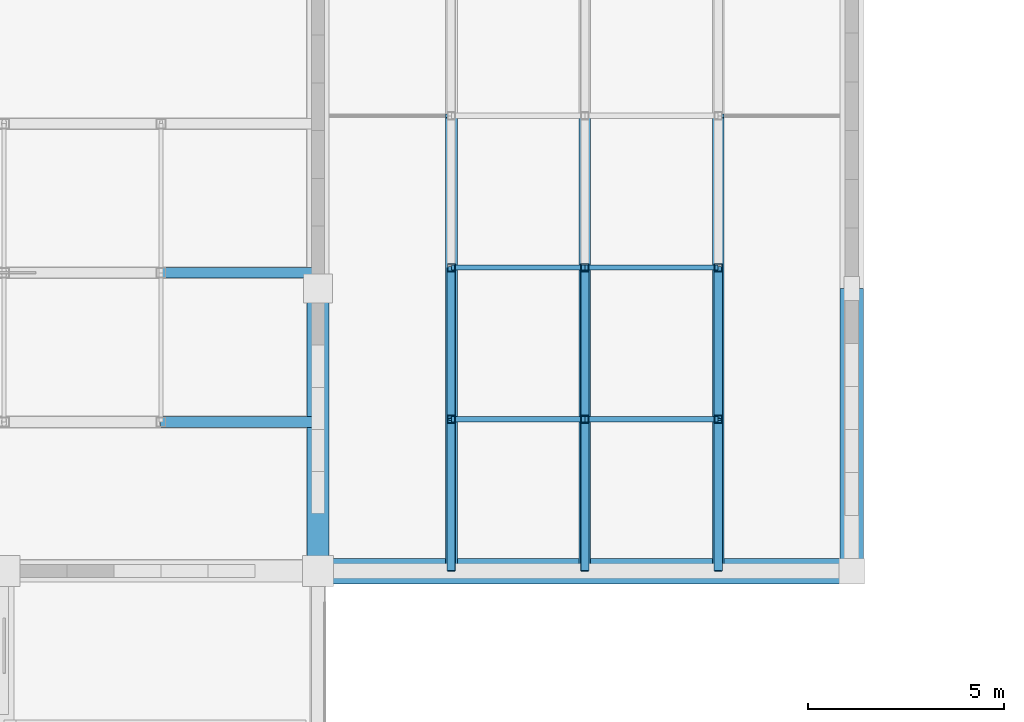
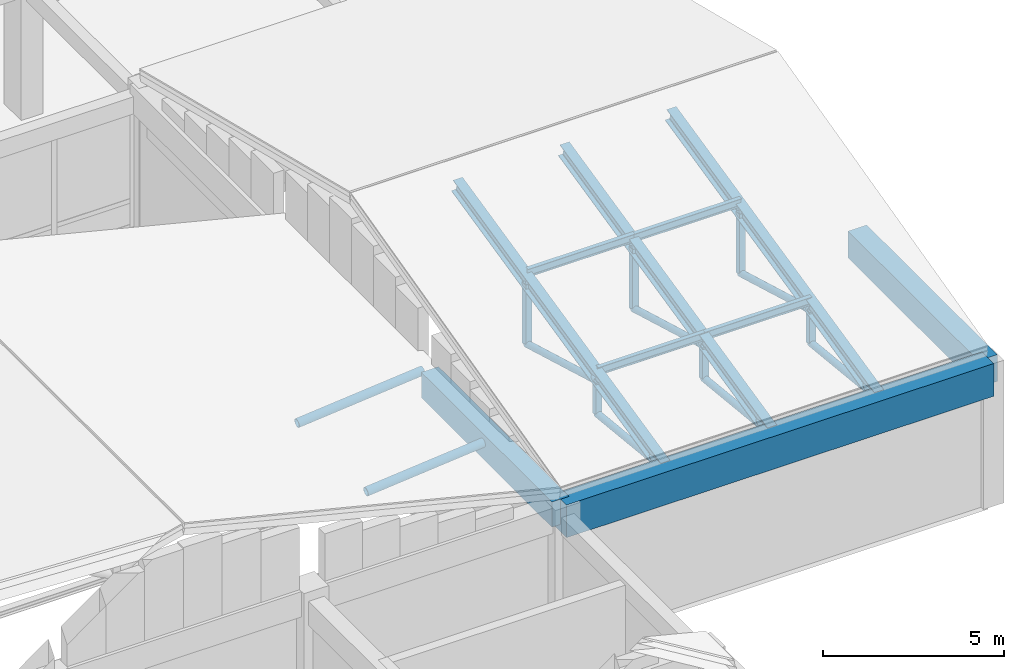
# One storey, part 28 of 61: 21 members, 3 beams.
"""IFC4 building model written with IfcOpenShell, lengths in metres."""

from ifc_helpers import new_model, si_unit, direction, frame, origin, origin_2d, place, context, subcontext, project, spatial, rectangle, hollow_rectangle, hollow_circle, i_section, extrude, material, material_profile, profile_set, type_object, element, save


model = new_model("IFC4")

# Units and contexts
model_context = context("Model", 3, precision=1e-05, world=origin(), true_north=direction((0.0, 1.0)))
body_context = subcontext(model_context, "Body", "Model", "MODEL_VIEW")
ifc_project = project(units=[si_unit("LENGTHUNIT", "METRE"), si_unit("AREAUNIT", "SQUARE_METRE"), si_unit("VOLUMEUNIT", "CUBIC_METRE"), si_unit("PLANEANGLEUNIT", "RADIAN"), si_unit("MASSUNIT", "GRAM", prefix="KILO")], contexts=[model_context])

# Site, building, storey
site_placement = place(None, origin())
site = spatial("IfcSite", under=ifc_project, at=site_placement, CompositionType="ELEMENT")
building_placement = place(site_placement, origin())
building = spatial("IfcBuilding", under=site, at=building_placement, Name="Vellmiral Cinema and Media Centre", CompositionType="ELEMENT")
storey_placement = place(building_placement, frame((0.0, 0.0, 10.800048828125)))
storey = spatial("IfcBuildingStorey", under=building, at=storey_placement, Name="L02", CompositionType="ELEMENT", Elevation=10.800048828125)

# Members
ifc_material_1 = material(Name="Steel S355", Category="steel")
ifc_material_profile_1 = material_profile(ifc_material_1, i_section(OverallWidth=0.135009765625, OverallDepth=0.27001953125, WebThickness=0.006591796875, FlangeThickness=0.01025390625, FilletRadius=0.014892578125, at=origin_2d()), Name="IPE 270")
ifc_profile_set_1 = profile_set([ifc_material_profile_1], Name="Steel S355")
member_type_1 = type_object("IfcMemberType", Name="PRL-IPE270", PredefinedType="PURLIN", material=ifc_profile_set_1)
member_1_placement = place(storey_placement, frame((151.39990234375, 39.86669921875, 5.593994140625), z_axis=(1.0, 0.0, 0.0), x_axis=(0.0, 1.0, 0.0)))
element("IfcMember", 1, at=member_1_placement, inside=storey, type_object=member_type_1, Name="Roof Purlin 7.1.1", PredefinedType="PURLIN", context=body_context, shape_type="SweptSolid", body=[
    extrude(i_section(OverallWidth=0.135009765625, OverallDepth=0.27001953125, WebThickness=0.006591796875, FlangeThickness=0.01025390625, FilletRadius=0.014892578125, at=origin_2d()), origin(), (0.0, 0.0, 1.0), 3.400146484375),
])
member_2_placement = place(storey_placement, frame((154.800048828125, 39.86669921875, 5.593994140625), z_axis=(1.0, 0.0, 0.0), x_axis=(0.0, 1.0, 0.0)))
element("IfcMember", 2, at=member_2_placement, inside=storey, type_object=member_type_1, Name="Roof Purlin 7.1.2", PredefinedType="PURLIN", context=body_context, shape_type="SweptSolid", body=[
    extrude(i_section(OverallWidth=0.135009765625, OverallDepth=0.27001953125, WebThickness=0.006591796875, FlangeThickness=0.01025390625, FilletRadius=0.014892578125, at=origin_2d()), origin(), (0.0, 0.0, 1.0), 3.39990234375),
])
member_3_placement = place(storey_placement, frame((151.39990234375, 43.7333984375, 6.55810546875), z_axis=(1.0, 0.0, 0.0), x_axis=(0.0, 1.0, 0.0)))
element("IfcMember", 3, at=member_3_placement, inside=storey, type_object=member_type_1, Name="Roof Purlin 7.2.1", PredefinedType="PURLIN", context=body_context, shape_type="SweptSolid", body=[
    extrude(i_section(OverallWidth=0.135009765625, OverallDepth=0.27001953125, WebThickness=0.006591796875, FlangeThickness=0.01025390625, FilletRadius=0.014892578125, at=origin_2d()), origin(), (0.0, 0.0, 1.0), 3.400146484375),
])
member_4_placement = place(storey_placement, frame((154.800048828125, 43.7333984375, 6.55810546875), z_axis=(1.0, 0.0, 0.0), x_axis=(0.0, 1.0, 0.0)))
element("IfcMember", 4, at=member_4_placement, inside=storey, type_object=member_type_1, Name="Roof Purlin 7.2.2", PredefinedType="PURLIN", context=body_context, shape_type="SweptSolid", body=[
    extrude(i_section(OverallWidth=0.135009765625, OverallDepth=0.27001953125, WebThickness=0.006591796875, FlangeThickness=0.01025390625, FilletRadius=0.014892578125, at=origin_2d()), origin(), (0.0, 0.0, 1.0), 3.39990234375),
])

# Beams
ifc_material_2 = material(Name="Concrete C40/50", Category="concrete")
ifc_material_profile_2 = material_profile(ifc_material_2, rectangle(XDim=0.550048828125, YDim=0.85009765625, at=origin_2d()), Name="RC 550x850")
ifc_profile_set_2 = profile_set([ifc_material_profile_2], Name="Concrete C40/50")
beam_type_1 = type_object("IfcBeamType", Name="RING-BM-550x850", PredefinedType="BEAM", material=ifc_profile_set_2)
beam_1_placement = place(storey_placement, frame((148.0, 36.0, 4.375), z_axis=(0.0, 1.0, 0.0), x_axis=(-1.0, 0.0, 0.0)))
element("IfcBeam", 5, at=beam_1_placement, inside=storey, type_object=beam_type_1, Name="Cinema Screen 6 Ring Beam 09", PredefinedType="BEAM", context=body_context, shape_type="SweptSolid", body=[
    extrude(rectangle(XDim=0.550048828125, YDim=0.85009765625, at=origin_2d()), origin(), (0.0, 0.0, 1.0), 7.199951171875),
])
ifc_material_3 = material(Name="Concrete C40/50", Category="concrete")
ifc_material_profile_3 = material_profile(ifc_material_3, rectangle(XDim=0.60009765625, YDim=0.89990234375, at=origin_2d()), Name="RC 600x900")
ifc_profile_set_3 = profile_set([ifc_material_profile_3], Name="Concrete C40/50")
beam_type_2 = type_object("IfcBeamType", Name="RING-BM-600x900", PredefinedType="BEAM", material=ifc_profile_set_3)
beam_2_placement = place(storey_placement, frame((161.60009765625, 36.0, 4.349853515625), z_axis=(0.0, 1.0, 0.0), x_axis=(-1.0, 0.0, 0.0)))
element("IfcBeam", 6, at=beam_2_placement, inside=storey, type_object=beam_type_2, Name="Cinema Screen 7 Ring Beam 04", PredefinedType="BEAM", context=body_context, shape_type="SweptSolid", body=[
    extrude(rectangle(XDim=0.60009765625, YDim=0.89990234375, at=origin_2d()), origin(), (0.0, 0.0, 1.0), 7.199951171875),
])
ifc_material_4 = material(Name="Concrete C40/50", Category="concrete")
ifc_material_profile_4 = material_profile(ifc_material_4, rectangle(XDim=0.64990234375, YDim=1.10009765625, at=origin_2d()), Name="RC 650x1100")
ifc_profile_set_4 = profile_set([ifc_material_profile_4], Name="Concrete C40/50")
beam_type_3 = type_object("IfcBeamType", Name="RING-BMG-650x1100", PredefinedType="BEAM", material=ifc_profile_set_4)
beam_3_placement = place(storey_placement, frame((148.0, 36.0, 4.25), z_axis=(1.0, 0.0, 0.0), x_axis=(0.0, 1.0, 0.0)))
element("IfcBeam", 7, at=beam_3_placement, inside=storey, type_object=beam_type_3, Name="Cinema Screen 7 Ring Beam 01", PredefinedType="BEAM", context=body_context, shape_type="SweptSolid", body=[
    extrude(rectangle(XDim=0.64990234375, YDim=1.10009765625, at=origin_2d()), origin(), (0.0, 0.0, 1.0), 13.60009765625),
])

# Members
ifc_material_5 = material(Name="Steel S355", Category="steel")
ifc_material_profile_5 = material_profile(ifc_material_5, hollow_circle(Radius=0.109619140625, WallThickness=0.010009765625, at=origin_2d()), Name="CHS 219.1x10.0")
ifc_profile_set_5 = profile_set([ifc_material_profile_5], Name="Steel S355")
member_type_2 = type_object("IfcMemberType", Name="TBR-CHS219", PredefinedType="BRACE", material=ifc_profile_set_5)
member_5_placement = place(storey_placement, frame((151.39990234375, 36.0, 4.550048828125), z_axis=(0.0, 0.994688024926, -0.102935577273), x_axis=(-1.0, 0.0, 0.0)))
element("IfcMember", 8, at=member_5_placement, inside=storey, type_object=member_type_2, Name="Roof Truss TR-07.1 Diagonal 1", PredefinedType="BRACE", context=body_context, shape_type="SweptSolid", body=[
    extrude(hollow_circle(Radius=0.109619140625, WallThickness=0.010009765625, at=origin_2d()), origin(), (0.0, 0.0, 1.0), 3.887451171875),
])
member_6_placement = place(storey_placement, frame((151.39990234375, 39.86669921875, 5.2490234375), z_axis=(0.0, 0.961894344951, -0.273421413118), x_axis=(-1.0, 0.0, 0.0)))
element("IfcMember", 9, at=member_6_placement, inside=storey, type_object=member_type_2, Name="Roof Truss TR-07.1 Diagonal 2", PredefinedType="BRACE", context=body_context, shape_type="SweptSolid", body=[
    extrude(hollow_circle(Radius=0.109619140625, WallThickness=0.010009765625, at=origin_2d()), origin(), (0.0, 0.0, 1.0), 4.019775390625),
])
member_7_placement = place(storey_placement, frame((154.800048828125, 36.0, 4.550048828125), z_axis=(0.0, 0.994688024926, -0.102935577273), x_axis=(-1.0, 0.0, 0.0)))
element("IfcMember", 10, at=member_7_placement, inside=storey, type_object=member_type_2, Name="Roof Truss TR-07.2 Diagonal 1", PredefinedType="BRACE", context=body_context, shape_type="SweptSolid", body=[
    extrude(hollow_circle(Radius=0.109619140625, WallThickness=0.010009765625, at=origin_2d()), origin(), (0.0, 0.0, 1.0), 3.887451171875),
])
member_8_placement = place(storey_placement, frame((154.800048828125, 39.86669921875, 5.2490234375), z_axis=(0.0, 0.961894344951, -0.273421413118), x_axis=(-1.0, 0.0, 0.0)))
element("IfcMember", 11, at=member_8_placement, inside=storey, type_object=member_type_2, Name="Roof Truss TR-07.2 Diagonal 2", PredefinedType="BRACE", context=body_context, shape_type="SweptSolid", body=[
    extrude(hollow_circle(Radius=0.109619140625, WallThickness=0.010009765625, at=origin_2d()), origin(), (0.0, 0.0, 1.0), 4.019775390625),
])
member_9_placement = place(storey_placement, frame((158.199951171875, 36.0, 4.550048828125), z_axis=(0.0, 0.994688024926, -0.102935577273), x_axis=(-1.0, 0.0, 0.0)))
element("IfcMember", 12, at=member_9_placement, inside=storey, type_object=member_type_2, Name="Roof Truss TR-07.3 Diagonal 1", PredefinedType="BRACE", context=body_context, shape_type="SweptSolid", body=[
    extrude(hollow_circle(Radius=0.109619140625, WallThickness=0.010009765625, at=origin_2d()), origin(), (0.0, 0.0, 1.0), 3.887451171875),
])
member_10_placement = place(storey_placement, frame((158.199951171875, 39.86669921875, 5.2490234375), z_axis=(0.0, 0.961894344951, -0.273421413118), x_axis=(-1.0, 0.0, 0.0)))
element("IfcMember", 13, at=member_10_placement, inside=storey, type_object=member_type_2, Name="Roof Truss TR-07.3 Diagonal 2", PredefinedType="BRACE", context=body_context, shape_type="SweptSolid", body=[
    extrude(hollow_circle(Radius=0.109619140625, WallThickness=0.010009765625, at=origin_2d()), origin(), (0.0, 0.0, 1.0), 4.019775390625),
])
ifc_material_6 = material(Name="Steel S355", Category="steel")
ifc_material_profile_6 = material_profile(ifc_material_6, hollow_circle(Radius=0.136474609375, WallThickness=0.012451171875, at=origin_2d()), Name="CHS 273.0x12.5")
ifc_profile_set_6 = profile_set([ifc_material_profile_6], Name="Steel S355")
member_type_3 = type_object("IfcMemberType", Name="TBR-CHS273", PredefinedType="BRACE", material=ifc_profile_set_6)
for number, where, z_axis, x_axis, name in (
    (14, (144.0, 39.800048828125, 4.14990234375), (0.995634226059, 0.0, 0.093340708693), (0.0, 1.0, 0.0), "Roof Truss TR-06.1 Diagonal 6"),
    (15, (144.0, 43.60009765625, 4.14990234375), (0.995634226059, 0.0, 0.093340708693), (0.0, 1.0, 0.0), "Roof Truss TR-06.2 Diagonal 6"),
):
    element("IfcMember", number, at=place(storey_placement, frame(where, z_axis=z_axis, x_axis=x_axis)), inside=storey, type_object=member_type_3, Name=name, PredefinedType="BRACE", context=body_context, shape_type="SweptSolid", body=[
        extrude(hollow_circle(Radius=0.136474609375, WallThickness=0.012451171875, at=origin_2d()), origin(), (0.0, 0.0, 1.0), 4.017578125),
    ])
ifc_material_7 = material(Name="Steel S355", Category="steel")
ifc_material_profile_7 = material_profile(ifc_material_7, hollow_rectangle(XDim=0.199951171875, YDim=0.199951171875, WallThickness=0.010009765625, at=origin_2d()), Name="SHS 200x200x10.0")
ifc_profile_set_7 = profile_set([ifc_material_profile_7], Name="Steel S355")
member_type_4 = type_object("IfcMemberType", Name="TBR-SHS200", PredefinedType="BRACE", material=ifc_profile_set_7)
member_11_placement = place(storey_placement, frame((151.39990234375, 39.86669921875, 4.14990234375), z_axis=(0.0, 0.0, 1.0), x_axis=(1.0, 0.0, 0.0)))
element("IfcMember", 16, at=member_11_placement, inside=storey, type_object=member_type_4, Name="Roof Truss TR-07.1 Post 1", PredefinedType="BRACE", context=body_context, shape_type="SweptSolid", body=[
    extrude(hollow_rectangle(XDim=0.199951171875, YDim=0.199951171875, WallThickness=0.010009765625, at=origin_2d()), origin(), (0.0, 0.0, 1.0), 1.09912109375),
])
member_12_placement = place(storey_placement, frame((151.39990234375, 43.7333984375, 4.14990234375), z_axis=(0.0, 0.0, 1.0), x_axis=(1.0, 0.0, 0.0)))
element("IfcMember", 17, at=member_12_placement, inside=storey, type_object=member_type_4, Name="Roof Truss TR-07.1 Post 2", PredefinedType="BRACE", context=body_context, shape_type="SweptSolid", body=[
    extrude(hollow_rectangle(XDim=0.199951171875, YDim=0.199951171875, WallThickness=0.010009765625, at=origin_2d()), origin(), (0.0, 0.0, 1.0), 2.063232421875),
])
member_13_placement = place(storey_placement, frame((154.800048828125, 39.86669921875, 4.14990234375), z_axis=(0.0, 0.0, 1.0), x_axis=(1.0, 0.0, 0.0)))
element("IfcMember", 18, at=member_13_placement, inside=storey, type_object=member_type_4, Name="Roof Truss TR-07.2 Post 1", PredefinedType="BRACE", context=body_context, shape_type="SweptSolid", body=[
    extrude(hollow_rectangle(XDim=0.199951171875, YDim=0.199951171875, WallThickness=0.010009765625, at=origin_2d()), origin(), (0.0, 0.0, 1.0), 1.09912109375),
])
member_14_placement = place(storey_placement, frame((154.800048828125, 43.7333984375, 4.14990234375), z_axis=(0.0, 0.0, 1.0), x_axis=(1.0, 0.0, 0.0)))
element("IfcMember", 19, at=member_14_placement, inside=storey, type_object=member_type_4, Name="Roof Truss TR-07.2 Post 2", PredefinedType="BRACE", context=body_context, shape_type="SweptSolid", body=[
    extrude(hollow_rectangle(XDim=0.199951171875, YDim=0.199951171875, WallThickness=0.010009765625, at=origin_2d()), origin(), (0.0, 0.0, 1.0), 2.063232421875),
])
member_15_placement = place(storey_placement, frame((158.199951171875, 39.86669921875, 4.14990234375), z_axis=(0.0, 0.0, 1.0), x_axis=(1.0, 0.0, 0.0)))
element("IfcMember", 20, at=member_15_placement, inside=storey, type_object=member_type_4, Name="Roof Truss TR-07.3 Post 1", PredefinedType="BRACE", context=body_context, shape_type="SweptSolid", body=[
    extrude(hollow_rectangle(XDim=0.199951171875, YDim=0.199951171875, WallThickness=0.010009765625, at=origin_2d()), origin(), (0.0, 0.0, 1.0), 1.09912109375),
])
member_16_placement = place(storey_placement, frame((158.199951171875, 43.7333984375, 4.14990234375), z_axis=(0.0, 0.0, 1.0), x_axis=(1.0, 0.0, 0.0)))
element("IfcMember", 21, at=member_16_placement, inside=storey, type_object=member_type_4, Name="Roof Truss TR-07.3 Post 2", PredefinedType="BRACE", context=body_context, shape_type="SweptSolid", body=[
    extrude(hollow_rectangle(XDim=0.199951171875, YDim=0.199951171875, WallThickness=0.010009765625, at=origin_2d()), origin(), (0.0, 0.0, 1.0), 2.063232421875),
])
ifc_material_8 = material(Name="Steel S355", Category="steel")
ifc_material_profile_8 = material_profile(ifc_material_8, i_section(OverallWidth=0.300048828125, OverallDepth=0.43994140625, WebThickness=0.011474609375, FlangeThickness=0.02099609375, FilletRadius=0.027099609375, at=origin_2d()), Name="HEA 450")
ifc_profile_set_8 = profile_set([ifc_material_profile_8], Name="Steel S355")
member_type_5 = type_object("IfcMemberType", Name="TCH-HEA450", PredefinedType="CHORD", material=ifc_profile_set_8)
for number, where, z_axis, x_axis, name in (
    (22, (151.39990234375, 36.0, 4.550048828125), (0.0, 0.975299533919, 0.22088643946), (-1.0, 0.0, 0.0), "Roof Truss TR-07.1 Top Chord S"),
    (23, (154.800048828125, 36.0, 4.550048828125), (0.0, 0.975299533919, 0.22088643946), (-1.0, 0.0, 0.0), "Roof Truss TR-07.2 Top Chord S"),
    (24, (158.199951171875, 36.0, 4.550048828125), (0.0, 0.975299533919, 0.22088643946), (-1.0, 0.0, 0.0), "Roof Truss TR-07.3 Top Chord S"),
):
    element("IfcMember", number, at=place(storey_placement, frame(where, z_axis=z_axis, x_axis=x_axis)), inside=storey, type_object=member_type_5, Name=name, PredefinedType="CHORD", context=body_context, shape_type="SweptSolid", body=[
        extrude(i_section(OverallWidth=0.300048828125, OverallDepth=0.43994140625, WebThickness=0.011474609375, FlangeThickness=0.02099609375, FilletRadius=0.027099609375, at=origin_2d()), origin(), (0.0, 0.0, 1.0), 11.893798828125),
    ])

save(model, "model.ifc")
